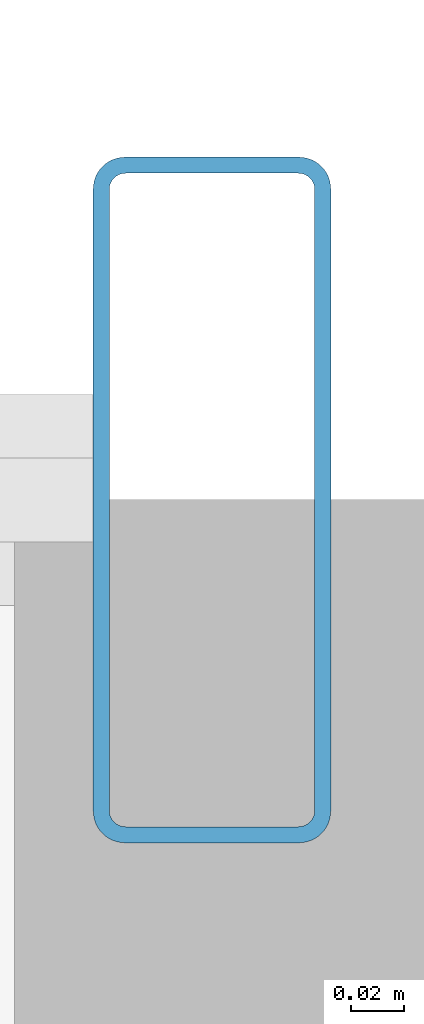
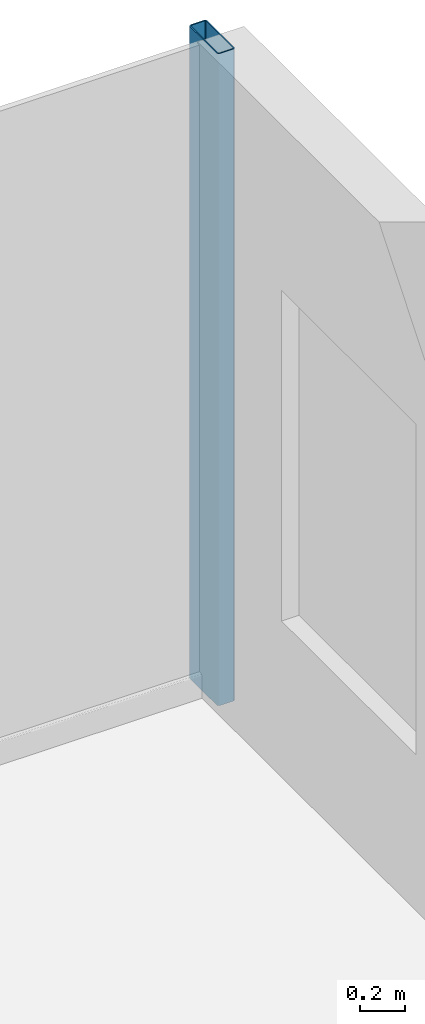
# One storey, part 14 of 25: 1 member, 1 element without a shape of its own.
"""IFC4 building model written with IfcOpenShell, lengths in metres."""

from ifc_helpers import new_model, si_unit, direction, frame, origin, origin_2d, place, context, subcontext, project, spatial, hollow_rectangle, extrude, source, transform, mapped, material, layer, layer_set, material_profile, profile_set, type_object, element, aggregate, save


model = new_model("IFC4")

# Units and contexts
model_context = context("Model", 3, precision=1e-05, world=origin(), true_north=direction((0.0, 1.0)))
body_context = subcontext(model_context, "Body", "Model", "MODEL_VIEW")
ifc_project = project(units=[si_unit("LENGTHUNIT", "METRE"), si_unit("AREAUNIT", "SQUARE_METRE"), si_unit("VOLUMEUNIT", "CUBIC_METRE"), si_unit("PLANEANGLEUNIT", "RADIAN"), si_unit("MASSUNIT", "GRAM", prefix="KILO")], contexts=[model_context])

# Site, building, storey
site_placement = place(None, origin())
site = spatial("IfcSite", under=ifc_project, at=site_placement, CompositionType="ELEMENT")
building_placement = place(site_placement, origin())
building = spatial("IfcBuilding", under=site, at=building_placement, Name="Nefas-Gora Pilgrimage Tower", CompositionType="ELEMENT")
storey_placement = place(building_placement, frame((0.0, 0.0, 71.0)))
storey = spatial("IfcBuildingStorey", under=building, at=storey_placement, Name="L16", CompositionType="ELEMENT", Elevation=71.0)

# Curtain wall, member
ifc_material_1 = material(Name="Dark ceramic-fritted solar-control aluminium-glass curtain wall", Category="aluminium")
ifc_layer = layer(ifc_material_1, 0.219970703125)
ifc_layer_set = layer_set([ifc_layer], Name="Dark ceramic-fritted solar-control aluminium-glass curtain wall")
curtain_wall_type = type_object("IfcCurtainWallType", Name="CW-SYS-2", PredefinedType="NOTDEFINED", material=ifc_layer_set)
curtain_wall_placement = place(storey_placement, origin())
curtain_wall = element("IfcCurtainWall", 1, at=curtain_wall_placement, inside=storey, type_object=curtain_wall_type, Name="L16 Unitised Curtain Wall CW2", PredefinedType="NOTDEFINED")
ifc_material_2 = material(Name="Anodised architectural aluminium", Category="aluminium")
ifc_material_profile = material_profile(ifc_material_2, hollow_rectangle(XDim=0.090087890625, YDim=0.260009765625, WallThickness=0.006103515625, InnerFilletRadius=0.006103515625, OuterFilletRadius=0.011962890625, at=origin_2d()), Name="ALU MULLION 90x260")
ifc_profile_set = profile_set([ifc_material_profile], Name="Anodised architectural aluminium")
member_type = type_object("IfcMemberType", Name="CWM-MUL-2", PredefinedType="MULLION", material=ifc_profile_set)
shared_shape = source(origin(), body_context, "Body", "SweptSolid", [
    extrude(hollow_rectangle(XDim=0.090087890625, YDim=0.260009765625, WallThickness=0.006103515625, InnerFilletRadius=0.006103515625, OuterFilletRadius=0.011962890625, at=origin_2d()), origin(), (0.0, 0.0, 1.0), 3.550048828125),
])
member_placement = place(storey_placement, frame((28.824951171875, 23.02001953125, 0.0), z_axis=(0.0, 0.0, 1.0), x_axis=(-1.0, 0.0, 0.0)))
member = element("IfcMember", 2, at=member_placement, type_object=member_type, Name="CW2 Mullion 1", PredefinedType="MULLION", context=body_context, shape_type="MappedRepresentation", body=[
    mapped(shared_shape, transform((0.0, 0.0, 0.0), x_axis=(1.0, 0.0, 0.0), y_axis=(0.0, 1.0, 0.0), z_axis=(0.0, 0.0, 1.0), scale=1.0)),
])
aggregate(curtain_wall, [member])

save(model, "model.ifc")
